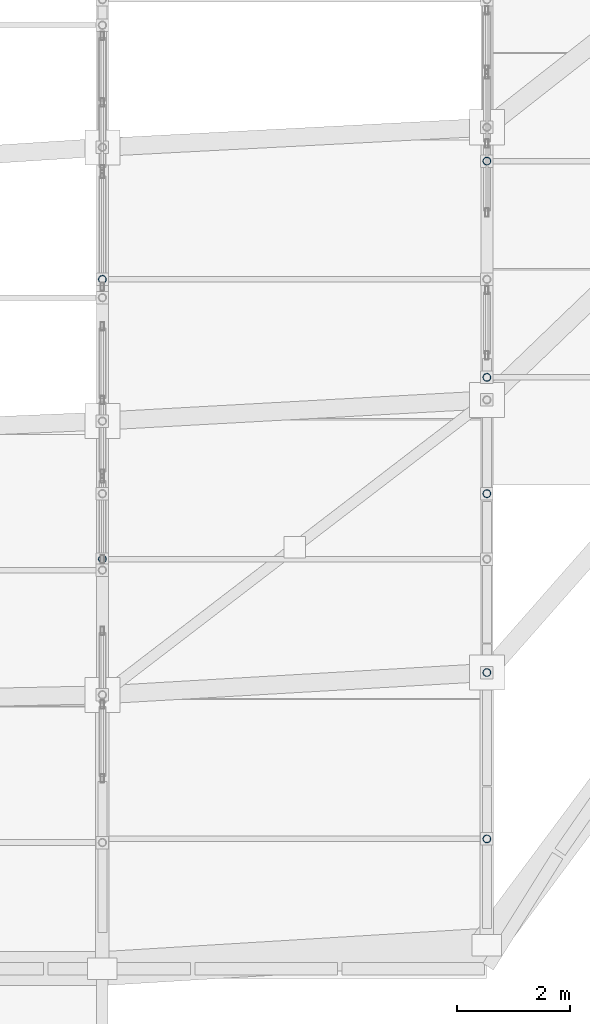
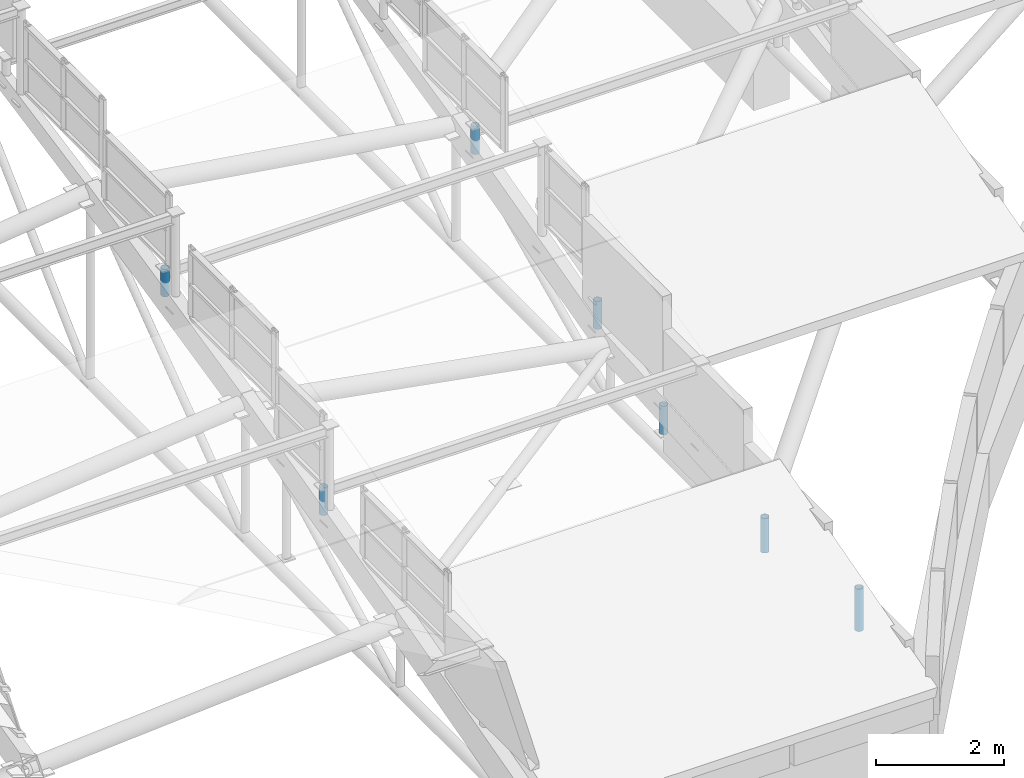
# One storey, part 141 of 188: 7 members.
"""IFC4 building model written with IfcOpenShell, lengths in metres."""

from ifc_helpers import new_model, si_unit, direction, frame, origin, origin_2d, place, context, subcontext, project, spatial, hollow_circle, extrude, material, material_profile, profile_set, type_object, element, save


model = new_model("IFC4")

# Units and contexts
model_context = context("Model", 3, precision=1e-05, world=origin(), true_north=direction((0.0, 1.0)))
body_context = subcontext(model_context, "Body", "Model", "MODEL_VIEW")
ifc_project = project(units=[si_unit("LENGTHUNIT", "METRE"), si_unit("AREAUNIT", "SQUARE_METRE"), si_unit("VOLUMEUNIT", "CUBIC_METRE"), si_unit("PLANEANGLEUNIT", "RADIAN"), si_unit("MASSUNIT", "GRAM", prefix="KILO")], contexts=[model_context])

# Site, building, storey
site_placement = place(None, origin())
site = spatial("IfcSite", under=ifc_project, at=site_placement, CompositionType="ELEMENT")
building_placement = place(site_placement, origin())
building = spatial("IfcBuilding", under=site, at=building_placement, Name="Kisaragi Civic Commons", CompositionType="ELEMENT")
storey_placement = place(building_placement, frame((0.0, 0.0, 9.60009765625)))
storey = spatial("IfcBuildingStorey", under=building, at=storey_placement, Name="L02", CompositionType="ELEMENT", Elevation=9.60009765625)

# Members
ifc_material = material(Name="Steel SN490 (SN490B)", Category="steel")
ifc_material_profile = material_profile(ifc_material, hollow_circle(Radius=0.06982421875, WallThickness=0.006103515625, at=origin_2d()), Name="CHS-139.8x6.0", Category="steel")
ifc_profile_set = profile_set([ifc_material_profile], Name="Steel SN490 (SN490B)")
member_type = type_object("IfcMemberType", Name="ST-H1", PredefinedType="STRUT", material=ifc_profile_set)
member_1_placement = place(storey_placement, frame((27.199951171875, 84.436279296875, -0.353271484375), z_axis=(0.0, 0.0, 1.0), x_axis=(1.0, 0.0, 0.0)))
element("IfcMember", 1, at=member_1_placement, inside=storey, type_object=member_type, Name="V2 arch tie hanger strut 59", PredefinedType="STRUT", context=body_context, shape_type="SweptSolid", body=[
    extrude(hollow_circle(Radius=0.06982421875, WallThickness=0.006103515625, at=origin_2d()), origin(), (0.0, 0.0, 1.0), 0.657470703125),
])
member_2_placement = place(storey_placement, frame((27.199951171875, 87.60009765625, -0.02001953125), z_axis=(0.0, 0.0, 1.0), x_axis=(1.0, 0.0, 0.0)))
element("IfcMember", 2, at=member_2_placement, inside=storey, type_object=member_type, Name="V2 interior column arch support post (27.2,87.6)", PredefinedType="STRUT", context=body_context, shape_type="SweptSolid", body=[
    extrude(hollow_circle(Radius=0.06982421875, WallThickness=0.006103515625, at=origin_2d()), origin(), (0.0, 0.0, 1.0), 0.545166015625),
])
member_3_placement = place(storey_placement, frame((27.199951171875, 81.493896484375, -0.06640625), z_axis=(0.0, 0.0, 1.0), x_axis=(1.0, 0.0, 0.0)))
element("IfcMember", 3, at=member_3_placement, inside=storey, type_object=member_type, Name="V2 clerestory monitor horizontal tie strut 4.4.1", PredefinedType="STRUT", context=body_context, shape_type="SweptSolid", body=[
    extrude(hollow_circle(Radius=0.06982421875, WallThickness=0.006103515625, at=origin_2d()), origin(), (0.0, 0.0, 1.0), 0.80859375),
])
member_4_placement = place(storey_placement, frame((20.39990234375, 86.44189453125, 1.526123046875), z_axis=(0.0, 0.0, 1.0), x_axis=(1.0, 0.0, 0.0)))
element("IfcMember", 4, at=member_4_placement, inside=storey, type_object=member_type, Name="V2 clerestory monitor horizontal tie strut 4.3.2", PredefinedType="STRUT", context=body_context, shape_type="SweptSolid", body=[
    extrude(hollow_circle(Radius=0.06982421875, WallThickness=0.006103515625, at=origin_2d()), origin(), (0.0, 0.0, 1.0), 0.522216796875),
])
member_5_placement = place(storey_placement, frame((20.39990234375, 91.3896484375, 2.698486328125), z_axis=(0.0, 0.0, 1.0), x_axis=(1.0, 0.0, 0.0)))
element("IfcMember", 5, at=member_5_placement, inside=storey, type_object=member_type, Name="V2 clerestory monitor horizontal tie strut 4.3.3", PredefinedType="STRUT", context=body_context, shape_type="SweptSolid", body=[
    extrude(hollow_circle(Radius=0.06982421875, WallThickness=0.006103515625, at=origin_2d()), origin(), (0.0, 0.0, 1.0), 0.517822265625),
])
member_6_placement = place(storey_placement, frame((27.199951171875, 89.65673828125, 0.746337890625), z_axis=(0.0, 0.0, 1.0), x_axis=(1.0, 0.0, 0.0)))
element("IfcMember", 6, at=member_6_placement, inside=storey, type_object=member_type, Name="V2 clerestory monitor horizontal tie strut 5.4.1", PredefinedType="STRUT", context=body_context, shape_type="SweptSolid", body=[
    extrude(hollow_circle(Radius=0.06982421875, WallThickness=0.006103515625, at=origin_2d()), origin(), (0.0, 0.0, 1.0), 0.529541015625),
])
member_7_placement = place(storey_placement, frame((27.199951171875, 93.48193359375, 1.758056640625), z_axis=(0.0, 0.0, 1.0), x_axis=(1.0, 0.0, 0.0)))
element("IfcMember", 7, at=member_7_placement, inside=storey, type_object=member_type, Name="V2 clerestory monitor horizontal tie strut 5.4.2", PredefinedType="STRUT", context=body_context, shape_type="SweptSolid", body=[
    extrude(hollow_circle(Radius=0.06982421875, WallThickness=0.006103515625, at=origin_2d()), origin(), (0.0, 0.0, 1.0), 0.528076171875),
])

save(model, "model.ifc")
